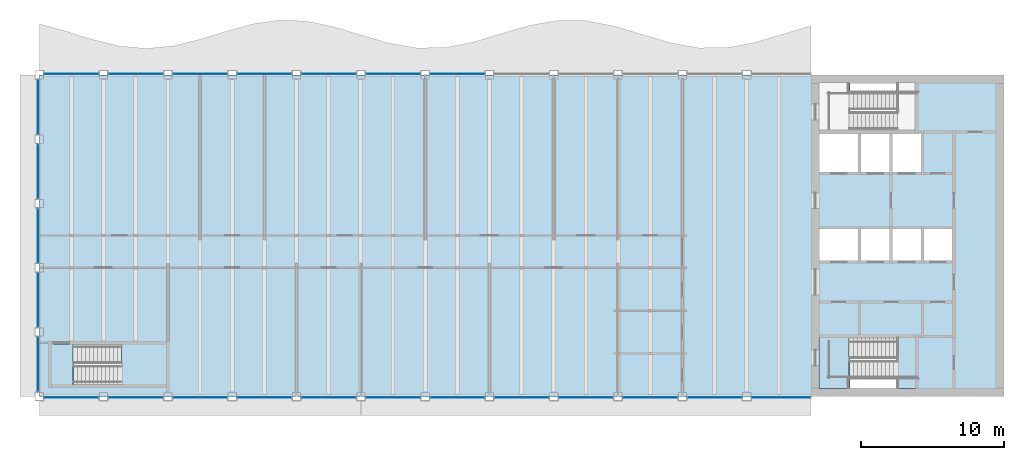
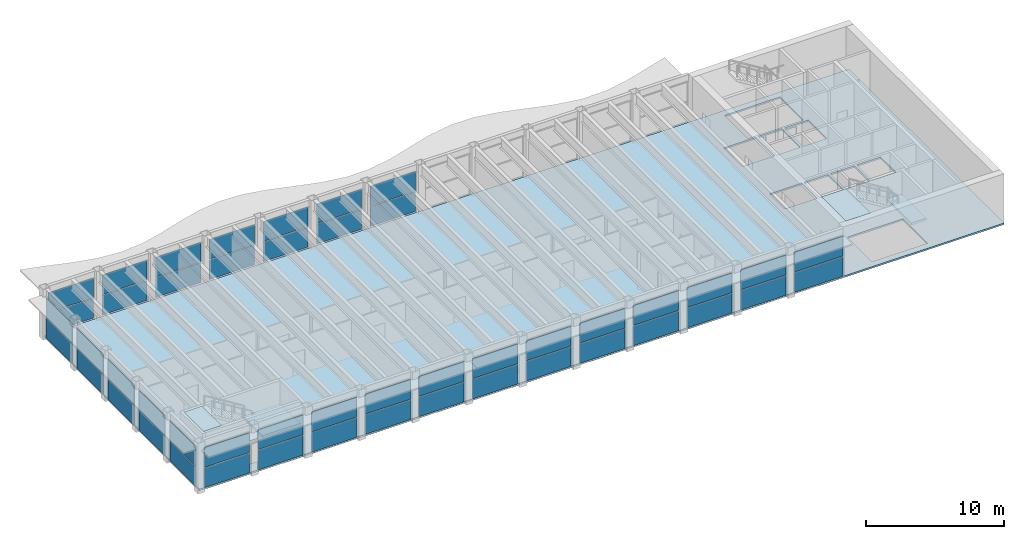
# One storey, part 7 of 14: 48 plates, 5 slabs, 26 elements without a shape of their own.
"""IFC4 building model written with IfcOpenShell, lengths in metres."""

from ifc_helpers import new_model, si_unit, direction, frame, origin, origin_2d, place, context, subcontext, project, spatial, polyline, rectangle, outline, extrude, material, layer, layer_set, type_object, element, aggregate, save


model = new_model("IFC4")

# Units and contexts
model_context = context("Model", 3, precision=1e-05, world=origin(), true_north=direction((0.0, 1.0)))
body_context = subcontext(model_context, "Body", "Model", "MODEL_VIEW")
ifc_project = project(units=[si_unit("LENGTHUNIT", "METRE"), si_unit("AREAUNIT", "SQUARE_METRE"), si_unit("VOLUMEUNIT", "CUBIC_METRE"), si_unit("PLANEANGLEUNIT", "RADIAN"), si_unit("MASSUNIT", "GRAM", prefix="KILO")], contexts=[model_context])

# Site, building, storey
site_placement = place(None, origin())
site = spatial("IfcSite", under=ifc_project, at=site_placement, CompositionType="ELEMENT")
building_placement = place(site_placement, origin())
building = spatial("IfcBuilding", under=site, at=building_placement, Name="Sennacour Bend Tower", CompositionType="ELEMENT")
storey_placement = place(building_placement, frame((0.0, 0.0, 314.0)))
storey = spatial("IfcBuildingStorey", under=building, at=storey_placement, Name="L72", CompositionType="ELEMENT", Elevation=314.0)

# Slab
ifc_material_1 = material(Name="Concrete C30/37", Category="concrete")
ifc_layer_1 = layer(ifc_material_1, 0.14990234375, Name="Concrete C30/37", Category="concrete")
ifc_layer_set_1 = layer_set([ifc_layer_1], Name="Concrete C30/37")
slab_type_1 = type_object("IfcSlabType", Name="Floor slab 150", PredefinedType="FLOOR", material=ifc_layer_set_1)
slab_1_placement = place(storey_placement, frame((0.0, 0.0, -0.14990234375)))
element("IfcSlab", 1, at=slab_1_placement, inside=storey, type_object=slab_type_1, Name="Floor slab L72-01", PredefinedType="FLOOR", context=body_context, shape_type="SweptSolid", body=[
    extrude(outline(polyline([(0.0, 22.5), (22.5, 22.5), (54.0, 22.5), (67.5, 22.5), (67.5, 0.0), (54.0, 0.0), (22.5, 0.0), (0.0, 0.0), (0.0, 22.5)]), holes=[polyline([(8.800048828125, 3.5), (2.429931640625, 3.5), (2.429931640625, 0.949951171875), (8.800048828125, 0.949951171875), (8.800048828125, 3.5)]), polyline([(61.39990234375, 4.125), (56.72998046875, 4.125), (56.72998046875, 0.550048828125), (61.39990234375, 0.550048828125), (61.39990234375, 4.125)]), polyline([(57.300048828125, 11.699951171875), (54.60009765625, 11.699951171875), (54.60009765625, 9.5), (57.300048828125, 9.5), (57.300048828125, 11.699951171875)]), polyline([(59.5, 9.5), (59.5, 11.699951171875), (57.5, 11.699951171875), (57.5, 9.5), (59.5, 9.5)]), polyline([(61.699951171875, 9.5), (61.699951171875, 11.699951171875), (59.699951171875, 11.699951171875), (59.699951171875, 9.5), (61.699951171875, 9.5)]), polyline([(63.89990234375, 11.699951171875), (61.89990234375, 11.699951171875), (61.89990234375, 9.5), (63.89990234375, 9.5), (63.89990234375, 11.699951171875)]), polyline([(57.300048828125, 18.39990234375), (54.60009765625, 18.39990234375), (54.60009765625, 15.699951171875), (57.300048828125, 15.699951171875), (57.300048828125, 18.39990234375)]), polyline([(59.5, 18.39990234375), (57.5, 18.39990234375), (57.5, 15.699951171875), (59.5, 15.699951171875), (59.5, 18.39990234375)]), polyline([(61.699951171875, 15.699951171875), (61.699951171875, 18.39990234375), (59.699951171875, 18.39990234375), (59.699951171875, 15.699951171875), (61.699951171875, 15.699951171875)]), polyline([(61.39990234375, 18.574951171875), (61.39990234375, 21.949951171875), (56.72998046875, 21.949951171875), (56.72998046875, 18.574951171875), (61.39990234375, 18.574951171875)])]), origin(), (0.0, 0.0, 1.0), 0.14990234375),
])

# Curtain wall, plates
ifc_material_2 = material(Name="Bronze anodised aluminium curtain wall with clear glass", Category="aluminium")
curtain_wall_type = type_object("IfcCurtainWallType", Name="CURTAIN WALL EXEC", PredefinedType="NOTDEFINED", material=ifc_material_2)
curtain_wall_1_placement = place(storey_placement, origin())
curtain_wall_1 = element("IfcCurtainWall", 2, at=curtain_wall_1_placement, inside=storey, type_object=curtain_wall_type, Name="Executive floor glass wall L72", PredefinedType="NOTDEFINED")
ifc_material_3 = material(Name="Clear low-emissivity glass", Category="glass")
ifc_layer_2 = layer(ifc_material_3, 0.031982421875, Name="Clear low-emissivity glass", Category="glass")
ifc_layer_set_2 = layer_set([ifc_layer_2], Name="Clear low-emissivity glass")
plate_type = type_object("IfcPlateType", Name="PNL-GLASS-IGU32", PredefinedType="CURTAIN_PANEL", material=ifc_layer_set_2)
plate_1_placement = place(storey_placement, frame((2.25, -0.074951171875, 0.06005859375), z_axis=(0.0, 0.0, 1.0), x_axis=(1.0, 0.0, 0.0)))
plate_1 = element("IfcPlate", 3, at=plate_1_placement, type_object=plate_type, Name="GW3 curtain wall panel 1.1", PredefinedType="CURTAIN_PANEL", context=body_context, shape_type="SweptSolid", body=[
    extrude(rectangle(XDim=3.780029296875, YDim=0.031982421875, at=origin_2d()), origin(), (0.0, 0.0, 1.0), 1.74609375),
])
plate_2_placement = place(storey_placement, frame((2.25, -0.074951171875, 1.865966796875), z_axis=(0.0, 0.0, 1.0), x_axis=(1.0, 0.0, 0.0)))
plate_2 = element("IfcPlate", 4, at=plate_2_placement, type_object=plate_type, Name="GW3 curtain wall panel 1.2", PredefinedType="CURTAIN_PANEL", context=body_context, shape_type="SweptSolid", body=[
    extrude(rectangle(XDim=3.780029296875, YDim=0.031982421875, at=origin_2d()), origin(), (0.0, 0.0, 1.0), 1.74609375),
])
aggregate(curtain_wall_1, [plate_1, plate_2])

curtain_wall_2_placement = place(storey_placement, origin())
curtain_wall_2 = element("IfcCurtainWall", 5, at=curtain_wall_2_placement, inside=storey, type_object=curtain_wall_type, Name="Executive floor glass wall L72", PredefinedType="NOTDEFINED")
plate_3_placement = place(storey_placement, frame((6.75, -0.074951171875, 0.06005859375), z_axis=(0.0, 0.0, 1.0), x_axis=(1.0, 0.0, 0.0)))
plate_3 = element("IfcPlate", 6, at=plate_3_placement, type_object=plate_type, Name="GW3 curtain wall panel 1.1", PredefinedType="CURTAIN_PANEL", context=body_context, shape_type="SweptSolid", body=[
    extrude(rectangle(XDim=3.780029296875, YDim=0.031982421875, at=origin_2d()), origin(), (0.0, 0.0, 1.0), 1.74609375),
])
plate_4_placement = place(storey_placement, frame((6.75, -0.074951171875, 1.865966796875), z_axis=(0.0, 0.0, 1.0), x_axis=(1.0, 0.0, 0.0)))
plate_4 = element("IfcPlate", 7, at=plate_4_placement, type_object=plate_type, Name="GW3 curtain wall panel 1.2", PredefinedType="CURTAIN_PANEL", context=body_context, shape_type="SweptSolid", body=[
    extrude(rectangle(XDim=3.780029296875, YDim=0.031982421875, at=origin_2d()), origin(), (0.0, 0.0, 1.0), 1.74609375),
])
aggregate(curtain_wall_2, [plate_3, plate_4])

curtain_wall_3_placement = place(storey_placement, origin())
curtain_wall_3 = element("IfcCurtainWall", 8, at=curtain_wall_3_placement, inside=storey, type_object=curtain_wall_type, Name="Executive floor glass wall L72", PredefinedType="NOTDEFINED")
plate_5_placement = place(storey_placement, frame((11.25, -0.074951171875, 0.06005859375), z_axis=(0.0, 0.0, 1.0), x_axis=(1.0, 0.0, 0.0)))
plate_5 = element("IfcPlate", 9, at=plate_5_placement, type_object=plate_type, Name="GW3 curtain wall panel 1.1", PredefinedType="CURTAIN_PANEL", context=body_context, shape_type="SweptSolid", body=[
    extrude(rectangle(XDim=3.780029296875, YDim=0.031982421875, at=origin_2d()), origin(), (0.0, 0.0, 1.0), 1.74609375),
])
plate_6_placement = place(storey_placement, frame((11.25, -0.074951171875, 1.865966796875), z_axis=(0.0, 0.0, 1.0), x_axis=(1.0, 0.0, 0.0)))
plate_6 = element("IfcPlate", 10, at=plate_6_placement, type_object=plate_type, Name="GW3 curtain wall panel 1.2", PredefinedType="CURTAIN_PANEL", context=body_context, shape_type="SweptSolid", body=[
    extrude(rectangle(XDim=3.780029296875, YDim=0.031982421875, at=origin_2d()), origin(), (0.0, 0.0, 1.0), 1.74609375),
])
aggregate(curtain_wall_3, [plate_5, plate_6])

curtain_wall_4_placement = place(storey_placement, origin())
curtain_wall_4 = element("IfcCurtainWall", 11, at=curtain_wall_4_placement, inside=storey, type_object=curtain_wall_type, Name="Executive floor glass wall L72", PredefinedType="NOTDEFINED")
plate_7_placement = place(storey_placement, frame((15.75, -0.074951171875, 0.06005859375), z_axis=(0.0, 0.0, 1.0), x_axis=(1.0, 0.0, 0.0)))
plate_7 = element("IfcPlate", 12, at=plate_7_placement, type_object=plate_type, Name="GW3 curtain wall panel 1.1", PredefinedType="CURTAIN_PANEL", context=body_context, shape_type="SweptSolid", body=[
    extrude(rectangle(XDim=3.780029296875, YDim=0.031982421875, at=origin_2d()), origin(), (0.0, 0.0, 1.0), 1.74609375),
])
plate_8_placement = place(storey_placement, frame((15.75, -0.074951171875, 1.865966796875), z_axis=(0.0, 0.0, 1.0), x_axis=(1.0, 0.0, 0.0)))
plate_8 = element("IfcPlate", 13, at=plate_8_placement, type_object=plate_type, Name="GW3 curtain wall panel 1.2", PredefinedType="CURTAIN_PANEL", context=body_context, shape_type="SweptSolid", body=[
    extrude(rectangle(XDim=3.780029296875, YDim=0.031982421875, at=origin_2d()), origin(), (0.0, 0.0, 1.0), 1.74609375),
])
aggregate(curtain_wall_4, [plate_7, plate_8])

curtain_wall_5_placement = place(storey_placement, origin())
curtain_wall_5 = element("IfcCurtainWall", 14, at=curtain_wall_5_placement, inside=storey, type_object=curtain_wall_type, Name="Executive floor glass wall L72", PredefinedType="NOTDEFINED")
plate_9_placement = place(storey_placement, frame((20.25, -0.074951171875, 0.06005859375), z_axis=(0.0, 0.0, 1.0), x_axis=(1.0, 0.0, 0.0)))
plate_9 = element("IfcPlate", 15, at=plate_9_placement, type_object=plate_type, Name="GW3 curtain wall panel 1.1", PredefinedType="CURTAIN_PANEL", context=body_context, shape_type="SweptSolid", body=[
    extrude(rectangle(XDim=3.780029296875, YDim=0.031982421875, at=origin_2d()), origin(), (0.0, 0.0, 1.0), 1.74609375),
])
plate_10_placement = place(storey_placement, frame((20.25, -0.074951171875, 1.865966796875), z_axis=(0.0, 0.0, 1.0), x_axis=(1.0, 0.0, 0.0)))
plate_10 = element("IfcPlate", 16, at=plate_10_placement, type_object=plate_type, Name="GW3 curtain wall panel 1.2", PredefinedType="CURTAIN_PANEL", context=body_context, shape_type="SweptSolid", body=[
    extrude(rectangle(XDim=3.780029296875, YDim=0.031982421875, at=origin_2d()), origin(), (0.0, 0.0, 1.0), 1.74609375),
])
aggregate(curtain_wall_5, [plate_9, plate_10])

curtain_wall_6_placement = place(storey_placement, origin())
curtain_wall_6 = element("IfcCurtainWall", 17, at=curtain_wall_6_placement, inside=storey, type_object=curtain_wall_type, Name="Executive floor glass wall L72", PredefinedType="NOTDEFINED")
plate_11_placement = place(storey_placement, frame((24.75, -0.074951171875, 0.06005859375), z_axis=(0.0, 0.0, 1.0), x_axis=(1.0, 0.0, 0.0)))
plate_11 = element("IfcPlate", 18, at=plate_11_placement, type_object=plate_type, Name="GW3 curtain wall panel 1.1", PredefinedType="CURTAIN_PANEL", context=body_context, shape_type="SweptSolid", body=[
    extrude(rectangle(XDim=3.780029296875, YDim=0.031982421875, at=origin_2d()), origin(), (0.0, 0.0, 1.0), 1.74609375),
])
plate_12_placement = place(storey_placement, frame((24.75, -0.074951171875, 1.865966796875), z_axis=(0.0, 0.0, 1.0), x_axis=(1.0, 0.0, 0.0)))
plate_12 = element("IfcPlate", 19, at=plate_12_placement, type_object=plate_type, Name="GW3 curtain wall panel 1.2", PredefinedType="CURTAIN_PANEL", context=body_context, shape_type="SweptSolid", body=[
    extrude(rectangle(XDim=3.780029296875, YDim=0.031982421875, at=origin_2d()), origin(), (0.0, 0.0, 1.0), 1.74609375),
])
aggregate(curtain_wall_6, [plate_11, plate_12])

curtain_wall_7_placement = place(storey_placement, origin())
curtain_wall_7 = element("IfcCurtainWall", 20, at=curtain_wall_7_placement, inside=storey, type_object=curtain_wall_type, Name="Executive floor glass wall L72", PredefinedType="NOTDEFINED")
plate_13_placement = place(storey_placement, frame((29.25, -0.074951171875, 0.06005859375), z_axis=(0.0, 0.0, 1.0), x_axis=(1.0, 0.0, 0.0)))
plate_13 = element("IfcPlate", 21, at=plate_13_placement, type_object=plate_type, Name="GW3 curtain wall panel 1.1", PredefinedType="CURTAIN_PANEL", context=body_context, shape_type="SweptSolid", body=[
    extrude(rectangle(XDim=3.780029296875, YDim=0.031982421875, at=origin_2d()), origin(), (0.0, 0.0, 1.0), 1.74609375),
])
plate_14_placement = place(storey_placement, frame((29.25, -0.074951171875, 1.865966796875), z_axis=(0.0, 0.0, 1.0), x_axis=(1.0, 0.0, 0.0)))
plate_14 = element("IfcPlate", 22, at=plate_14_placement, type_object=plate_type, Name="GW3 curtain wall panel 1.2", PredefinedType="CURTAIN_PANEL", context=body_context, shape_type="SweptSolid", body=[
    extrude(rectangle(XDim=3.780029296875, YDim=0.031982421875, at=origin_2d()), origin(), (0.0, 0.0, 1.0), 1.74609375),
])
aggregate(curtain_wall_7, [plate_13, plate_14])

curtain_wall_8_placement = place(storey_placement, origin())
curtain_wall_8 = element("IfcCurtainWall", 23, at=curtain_wall_8_placement, inside=storey, type_object=curtain_wall_type, Name="Executive floor glass wall L72", PredefinedType="NOTDEFINED")
plate_15_placement = place(storey_placement, frame((33.75, -0.074951171875, 0.06005859375), z_axis=(0.0, 0.0, 1.0), x_axis=(1.0, 0.0, 0.0)))
plate_15 = element("IfcPlate", 24, at=plate_15_placement, type_object=plate_type, Name="GW3 curtain wall panel 1.1", PredefinedType="CURTAIN_PANEL", context=body_context, shape_type="SweptSolid", body=[
    extrude(rectangle(XDim=3.780029296875, YDim=0.031982421875, at=origin_2d()), origin(), (0.0, 0.0, 1.0), 1.74609375),
])
plate_16_placement = place(storey_placement, frame((33.75, -0.074951171875, 1.865966796875), z_axis=(0.0, 0.0, 1.0), x_axis=(1.0, 0.0, 0.0)))
plate_16 = element("IfcPlate", 25, at=plate_16_placement, type_object=plate_type, Name="GW3 curtain wall panel 1.2", PredefinedType="CURTAIN_PANEL", context=body_context, shape_type="SweptSolid", body=[
    extrude(rectangle(XDim=3.780029296875, YDim=0.031982421875, at=origin_2d()), origin(), (0.0, 0.0, 1.0), 1.74609375),
])
aggregate(curtain_wall_8, [plate_15, plate_16])

curtain_wall_9_placement = place(storey_placement, origin())
curtain_wall_9 = element("IfcCurtainWall", 26, at=curtain_wall_9_placement, inside=storey, type_object=curtain_wall_type, Name="Executive floor glass wall L72", PredefinedType="NOTDEFINED")
plate_17_placement = place(storey_placement, frame((38.25, -0.074951171875, 0.06005859375), z_axis=(0.0, 0.0, 1.0), x_axis=(1.0, 0.0, 0.0)))
plate_17 = element("IfcPlate", 27, at=plate_17_placement, type_object=plate_type, Name="GW3 curtain wall panel 1.1", PredefinedType="CURTAIN_PANEL", context=body_context, shape_type="SweptSolid", body=[
    extrude(rectangle(XDim=3.780029296875, YDim=0.031982421875, at=origin_2d()), origin(), (0.0, 0.0, 1.0), 1.74609375),
])
plate_18_placement = place(storey_placement, frame((38.25, -0.074951171875, 1.865966796875), z_axis=(0.0, 0.0, 1.0), x_axis=(1.0, 0.0, 0.0)))
plate_18 = element("IfcPlate", 28, at=plate_18_placement, type_object=plate_type, Name="GW3 curtain wall panel 1.2", PredefinedType="CURTAIN_PANEL", context=body_context, shape_type="SweptSolid", body=[
    extrude(rectangle(XDim=3.780029296875, YDim=0.031982421875, at=origin_2d()), origin(), (0.0, 0.0, 1.0), 1.74609375),
])
aggregate(curtain_wall_9, [plate_17, plate_18])

curtain_wall_10_placement = place(storey_placement, origin())
curtain_wall_10 = element("IfcCurtainWall", 29, at=curtain_wall_10_placement, inside=storey, type_object=curtain_wall_type, Name="Executive floor glass wall L72", PredefinedType="NOTDEFINED")
plate_19_placement = place(storey_placement, frame((42.75, -0.074951171875, 0.06005859375), z_axis=(0.0, 0.0, 1.0), x_axis=(1.0, 0.0, 0.0)))
plate_19 = element("IfcPlate", 30, at=plate_19_placement, type_object=plate_type, Name="GW3 curtain wall panel 1.1", PredefinedType="CURTAIN_PANEL", context=body_context, shape_type="SweptSolid", body=[
    extrude(rectangle(XDim=3.780029296875, YDim=0.031982421875, at=origin_2d()), origin(), (0.0, 0.0, 1.0), 1.74609375),
])
plate_20_placement = place(storey_placement, frame((42.75, -0.074951171875, 1.865966796875), z_axis=(0.0, 0.0, 1.0), x_axis=(1.0, 0.0, 0.0)))
plate_20 = element("IfcPlate", 31, at=plate_20_placement, type_object=plate_type, Name="GW3 curtain wall panel 1.2", PredefinedType="CURTAIN_PANEL", context=body_context, shape_type="SweptSolid", body=[
    extrude(rectangle(XDim=3.780029296875, YDim=0.031982421875, at=origin_2d()), origin(), (0.0, 0.0, 1.0), 1.74609375),
])
aggregate(curtain_wall_10, [plate_19, plate_20])

curtain_wall_11_placement = place(storey_placement, origin())
curtain_wall_11 = element("IfcCurtainWall", 32, at=curtain_wall_11_placement, inside=storey, type_object=curtain_wall_type, Name="Executive floor glass wall L72", PredefinedType="NOTDEFINED")
plate_21_placement = place(storey_placement, frame((47.25, -0.074951171875, 0.06005859375), z_axis=(0.0, 0.0, 1.0), x_axis=(1.0, 0.0, 0.0)))
plate_21 = element("IfcPlate", 33, at=plate_21_placement, type_object=plate_type, Name="GW3 curtain wall panel 1.1", PredefinedType="CURTAIN_PANEL", context=body_context, shape_type="SweptSolid", body=[
    extrude(rectangle(XDim=3.780029296875, YDim=0.031982421875, at=origin_2d()), origin(), (0.0, 0.0, 1.0), 1.74609375),
])
plate_22_placement = place(storey_placement, frame((47.25, -0.074951171875, 1.865966796875), z_axis=(0.0, 0.0, 1.0), x_axis=(1.0, 0.0, 0.0)))
plate_22 = element("IfcPlate", 34, at=plate_22_placement, type_object=plate_type, Name="GW3 curtain wall panel 1.2", PredefinedType="CURTAIN_PANEL", context=body_context, shape_type="SweptSolid", body=[
    extrude(rectangle(XDim=3.780029296875, YDim=0.031982421875, at=origin_2d()), origin(), (0.0, 0.0, 1.0), 1.74609375),
])
aggregate(curtain_wall_11, [plate_21, plate_22])

curtain_wall_12_placement = place(storey_placement, origin())
curtain_wall_12 = element("IfcCurtainWall", 35, at=curtain_wall_12_placement, inside=storey, type_object=curtain_wall_type, Name="Executive floor glass wall L72", PredefinedType="NOTDEFINED")
plate_23_placement = place(storey_placement, frame((51.89990234375, -0.074951171875, 0.06005859375), z_axis=(0.0, 0.0, 1.0), x_axis=(1.0, 0.0, 0.0)))
plate_23 = element("IfcPlate", 36, at=plate_23_placement, type_object=plate_type, Name="GW3 curtain wall panel 1.1", PredefinedType="CURTAIN_PANEL", context=body_context, shape_type="SweptSolid", body=[
    extrude(rectangle(XDim=4.080078125, YDim=0.031982421875, at=origin_2d()), origin(), (0.0, 0.0, 1.0), 1.74609375),
])
plate_24_placement = place(storey_placement, frame((51.89990234375, -0.074951171875, 1.865966796875), z_axis=(0.0, 0.0, 1.0), x_axis=(1.0, 0.0, 0.0)))
plate_24 = element("IfcPlate", 37, at=plate_24_placement, type_object=plate_type, Name="GW3 curtain wall panel 1.2", PredefinedType="CURTAIN_PANEL", context=body_context, shape_type="SweptSolid", body=[
    extrude(rectangle(XDim=4.080078125, YDim=0.031982421875, at=origin_2d()), origin(), (0.0, 0.0, 1.0), 1.74609375),
])
aggregate(curtain_wall_12, [plate_23, plate_24])

curtain_wall_13_placement = place(storey_placement, origin())
curtain_wall_13 = element("IfcCurtainWall", 38, at=curtain_wall_13_placement, inside=storey, type_object=curtain_wall_type, Name="Executive floor glass wall L72", PredefinedType="NOTDEFINED")
plate_25_placement = place(storey_placement, frame((29.25, 22.574951171875, 0.06005859375), z_axis=(0.0, 0.0, 1.0), x_axis=(-1.0, 0.0, 0.0)))
plate_25 = element("IfcPlate", 39, at=plate_25_placement, type_object=plate_type, Name="GW3 curtain wall panel 1.1", PredefinedType="CURTAIN_PANEL", context=body_context, shape_type="SweptSolid", body=[
    extrude(rectangle(XDim=3.780029296875, YDim=0.031982421875, at=origin_2d()), origin(), (0.0, 0.0, 1.0), 1.74609375),
])
plate_26_placement = place(storey_placement, frame((29.25, 22.574951171875, 1.865966796875), z_axis=(0.0, 0.0, 1.0), x_axis=(-1.0, 0.0, 0.0)))
plate_26 = element("IfcPlate", 40, at=plate_26_placement, type_object=plate_type, Name="GW3 curtain wall panel 1.2", PredefinedType="CURTAIN_PANEL", context=body_context, shape_type="SweptSolid", body=[
    extrude(rectangle(XDim=3.780029296875, YDim=0.031982421875, at=origin_2d()), origin(), (0.0, 0.0, 1.0), 1.74609375),
])
aggregate(curtain_wall_13, [plate_25, plate_26])

curtain_wall_14_placement = place(storey_placement, origin())
curtain_wall_14 = element("IfcCurtainWall", 41, at=curtain_wall_14_placement, inside=storey, type_object=curtain_wall_type, Name="Executive floor glass wall L72", PredefinedType="NOTDEFINED")
plate_27_placement = place(storey_placement, frame((24.75, 22.574951171875, 0.06005859375), z_axis=(0.0, 0.0, 1.0), x_axis=(-1.0, 0.0, 0.0)))
plate_27 = element("IfcPlate", 42, at=plate_27_placement, type_object=plate_type, Name="GW3 curtain wall panel 1.1", PredefinedType="CURTAIN_PANEL", context=body_context, shape_type="SweptSolid", body=[
    extrude(rectangle(XDim=3.780029296875, YDim=0.031982421875, at=origin_2d()), origin(), (0.0, 0.0, 1.0), 1.74609375),
])
plate_28_placement = place(storey_placement, frame((24.75, 22.574951171875, 1.865966796875), z_axis=(0.0, 0.0, 1.0), x_axis=(-1.0, 0.0, 0.0)))
plate_28 = element("IfcPlate", 43, at=plate_28_placement, type_object=plate_type, Name="GW3 curtain wall panel 1.2", PredefinedType="CURTAIN_PANEL", context=body_context, shape_type="SweptSolid", body=[
    extrude(rectangle(XDim=3.780029296875, YDim=0.031982421875, at=origin_2d()), origin(), (0.0, 0.0, 1.0), 1.74609375),
])
aggregate(curtain_wall_14, [plate_27, plate_28])

curtain_wall_15_placement = place(storey_placement, origin())
curtain_wall_15 = element("IfcCurtainWall", 44, at=curtain_wall_15_placement, inside=storey, type_object=curtain_wall_type, Name="Executive floor glass wall L72", PredefinedType="NOTDEFINED")
plate_29_placement = place(storey_placement, frame((20.25, 22.574951171875, 0.06005859375), z_axis=(0.0, 0.0, 1.0), x_axis=(-1.0, 0.0, 0.0)))
plate_29 = element("IfcPlate", 45, at=plate_29_placement, type_object=plate_type, Name="GW3 curtain wall panel 1.1", PredefinedType="CURTAIN_PANEL", context=body_context, shape_type="SweptSolid", body=[
    extrude(rectangle(XDim=3.780029296875, YDim=0.031982421875, at=origin_2d()), origin(), (0.0, 0.0, 1.0), 1.74609375),
])
plate_30_placement = place(storey_placement, frame((20.25, 22.574951171875, 1.865966796875), z_axis=(0.0, 0.0, 1.0), x_axis=(-1.0, 0.0, 0.0)))
plate_30 = element("IfcPlate", 46, at=plate_30_placement, type_object=plate_type, Name="GW3 curtain wall panel 1.2", PredefinedType="CURTAIN_PANEL", context=body_context, shape_type="SweptSolid", body=[
    extrude(rectangle(XDim=3.780029296875, YDim=0.031982421875, at=origin_2d()), origin(), (0.0, 0.0, 1.0), 1.74609375),
])
aggregate(curtain_wall_15, [plate_29, plate_30])

curtain_wall_16_placement = place(storey_placement, origin())
curtain_wall_16 = element("IfcCurtainWall", 47, at=curtain_wall_16_placement, inside=storey, type_object=curtain_wall_type, Name="Executive floor glass wall L72", PredefinedType="NOTDEFINED")
plate_31_placement = place(storey_placement, frame((15.75, 22.574951171875, 0.06005859375), z_axis=(0.0, 0.0, 1.0), x_axis=(-1.0, 0.0, 0.0)))
plate_31 = element("IfcPlate", 48, at=plate_31_placement, type_object=plate_type, Name="GW3 curtain wall panel 1.1", PredefinedType="CURTAIN_PANEL", context=body_context, shape_type="SweptSolid", body=[
    extrude(rectangle(XDim=3.780029296875, YDim=0.031982421875, at=origin_2d()), origin(), (0.0, 0.0, 1.0), 1.74609375),
])
plate_32_placement = place(storey_placement, frame((15.75, 22.574951171875, 1.865966796875), z_axis=(0.0, 0.0, 1.0), x_axis=(-1.0, 0.0, 0.0)))
plate_32 = element("IfcPlate", 49, at=plate_32_placement, type_object=plate_type, Name="GW3 curtain wall panel 1.2", PredefinedType="CURTAIN_PANEL", context=body_context, shape_type="SweptSolid", body=[
    extrude(rectangle(XDim=3.780029296875, YDim=0.031982421875, at=origin_2d()), origin(), (0.0, 0.0, 1.0), 1.74609375),
])
aggregate(curtain_wall_16, [plate_31, plate_32])

curtain_wall_17_placement = place(storey_placement, origin())
curtain_wall_17 = element("IfcCurtainWall", 50, at=curtain_wall_17_placement, inside=storey, type_object=curtain_wall_type, Name="Executive floor glass wall L72", PredefinedType="NOTDEFINED")
plate_33_placement = place(storey_placement, frame((11.25, 22.574951171875, 0.06005859375), z_axis=(0.0, 0.0, 1.0), x_axis=(-1.0, 0.0, 0.0)))
plate_33 = element("IfcPlate", 51, at=plate_33_placement, type_object=plate_type, Name="GW3 curtain wall panel 1.1", PredefinedType="CURTAIN_PANEL", context=body_context, shape_type="SweptSolid", body=[
    extrude(rectangle(XDim=3.780029296875, YDim=0.031982421875, at=origin_2d()), origin(), (0.0, 0.0, 1.0), 1.74609375),
])
plate_34_placement = place(storey_placement, frame((11.25, 22.574951171875, 1.865966796875), z_axis=(0.0, 0.0, 1.0), x_axis=(-1.0, 0.0, 0.0)))
plate_34 = element("IfcPlate", 52, at=plate_34_placement, type_object=plate_type, Name="GW3 curtain wall panel 1.2", PredefinedType="CURTAIN_PANEL", context=body_context, shape_type="SweptSolid", body=[
    extrude(rectangle(XDim=3.780029296875, YDim=0.031982421875, at=origin_2d()), origin(), (0.0, 0.0, 1.0), 1.74609375),
])
aggregate(curtain_wall_17, [plate_33, plate_34])

curtain_wall_18_placement = place(storey_placement, origin())
curtain_wall_18 = element("IfcCurtainWall", 53, at=curtain_wall_18_placement, inside=storey, type_object=curtain_wall_type, Name="Executive floor glass wall L72", PredefinedType="NOTDEFINED")
plate_35_placement = place(storey_placement, frame((6.75, 22.574951171875, 0.06005859375), z_axis=(0.0, 0.0, 1.0), x_axis=(-1.0, 0.0, 0.0)))
plate_35 = element("IfcPlate", 54, at=plate_35_placement, type_object=plate_type, Name="GW3 curtain wall panel 1.1", PredefinedType="CURTAIN_PANEL", context=body_context, shape_type="SweptSolid", body=[
    extrude(rectangle(XDim=3.780029296875, YDim=0.031982421875, at=origin_2d()), origin(), (0.0, 0.0, 1.0), 1.74609375),
])
plate_36_placement = place(storey_placement, frame((6.75, 22.574951171875, 1.865966796875), z_axis=(0.0, 0.0, 1.0), x_axis=(-1.0, 0.0, 0.0)))
plate_36 = element("IfcPlate", 55, at=plate_36_placement, type_object=plate_type, Name="GW3 curtain wall panel 1.2", PredefinedType="CURTAIN_PANEL", context=body_context, shape_type="SweptSolid", body=[
    extrude(rectangle(XDim=3.780029296875, YDim=0.031982421875, at=origin_2d()), origin(), (0.0, 0.0, 1.0), 1.74609375),
])
aggregate(curtain_wall_18, [plate_35, plate_36])

curtain_wall_19_placement = place(storey_placement, origin())
curtain_wall_19 = element("IfcCurtainWall", 56, at=curtain_wall_19_placement, inside=storey, type_object=curtain_wall_type, Name="Executive floor glass wall L72", PredefinedType="NOTDEFINED")
plate_37_placement = place(storey_placement, frame((2.25, 22.574951171875, 0.06005859375), z_axis=(0.0, 0.0, 1.0), x_axis=(-1.0, 0.0, 0.0)))
plate_37 = element("IfcPlate", 57, at=plate_37_placement, type_object=plate_type, Name="GW3 curtain wall panel 1.1", PredefinedType="CURTAIN_PANEL", context=body_context, shape_type="SweptSolid", body=[
    extrude(rectangle(XDim=3.780029296875, YDim=0.031982421875, at=origin_2d()), origin(), (0.0, 0.0, 1.0), 1.74609375),
])
plate_38_placement = place(storey_placement, frame((2.25, 22.574951171875, 1.865966796875), z_axis=(0.0, 0.0, 1.0), x_axis=(-1.0, 0.0, 0.0)))
plate_38 = element("IfcPlate", 58, at=plate_38_placement, type_object=plate_type, Name="GW3 curtain wall panel 1.2", PredefinedType="CURTAIN_PANEL", context=body_context, shape_type="SweptSolid", body=[
    extrude(rectangle(XDim=3.780029296875, YDim=0.031982421875, at=origin_2d()), origin(), (0.0, 0.0, 1.0), 1.74609375),
])
aggregate(curtain_wall_19, [plate_37, plate_38])

curtain_wall_20_placement = place(storey_placement, origin())
curtain_wall_20 = element("IfcCurtainWall", 59, at=curtain_wall_20_placement, inside=storey, type_object=curtain_wall_type, Name="Executive floor glass wall L72", PredefinedType="NOTDEFINED")
plate_39_placement = place(storey_placement, frame((-0.074951171875, 20.25, 0.06005859375), z_axis=(0.0, 0.0, 1.0), x_axis=(0.0, -1.0, 0.0)))
plate_39 = element("IfcPlate", 60, at=plate_39_placement, type_object=plate_type, Name="GW3 curtain wall panel 1.1", PredefinedType="CURTAIN_PANEL", context=body_context, shape_type="SweptSolid", body=[
    extrude(rectangle(XDim=3.780029296875, YDim=0.031982421875, at=origin_2d()), origin(), (0.0, 0.0, 1.0), 1.74609375),
])
plate_40_placement = place(storey_placement, frame((-0.074951171875, 20.25, 1.865966796875), z_axis=(0.0, 0.0, 1.0), x_axis=(0.0, -1.0, 0.0)))
plate_40 = element("IfcPlate", 61, at=plate_40_placement, type_object=plate_type, Name="GW3 curtain wall panel 1.2", PredefinedType="CURTAIN_PANEL", context=body_context, shape_type="SweptSolid", body=[
    extrude(rectangle(XDim=3.780029296875, YDim=0.031982421875, at=origin_2d()), origin(), (0.0, 0.0, 1.0), 1.74609375),
])
aggregate(curtain_wall_20, [plate_39, plate_40])

curtain_wall_21_placement = place(storey_placement, origin())
curtain_wall_21 = element("IfcCurtainWall", 62, at=curtain_wall_21_placement, inside=storey, type_object=curtain_wall_type, Name="Executive floor glass wall L72", PredefinedType="NOTDEFINED")
plate_41_placement = place(storey_placement, frame((-0.074951171875, 15.75, 0.06005859375), z_axis=(0.0, 0.0, 1.0), x_axis=(0.0, -1.0, 0.0)))
plate_41 = element("IfcPlate", 63, at=plate_41_placement, type_object=plate_type, Name="GW3 curtain wall panel 1.1", PredefinedType="CURTAIN_PANEL", context=body_context, shape_type="SweptSolid", body=[
    extrude(rectangle(XDim=3.780029296875, YDim=0.031982421875, at=origin_2d()), origin(), (0.0, 0.0, 1.0), 1.74609375),
])
plate_42_placement = place(storey_placement, frame((-0.074951171875, 15.75, 1.865966796875), z_axis=(0.0, 0.0, 1.0), x_axis=(0.0, -1.0, 0.0)))
plate_42 = element("IfcPlate", 64, at=plate_42_placement, type_object=plate_type, Name="GW3 curtain wall panel 1.2", PredefinedType="CURTAIN_PANEL", context=body_context, shape_type="SweptSolid", body=[
    extrude(rectangle(XDim=3.780029296875, YDim=0.031982421875, at=origin_2d()), origin(), (0.0, 0.0, 1.0), 1.74609375),
])
aggregate(curtain_wall_21, [plate_41, plate_42])

curtain_wall_22_placement = place(storey_placement, origin())
curtain_wall_22 = element("IfcCurtainWall", 65, at=curtain_wall_22_placement, inside=storey, type_object=curtain_wall_type, Name="Executive floor glass wall L72", PredefinedType="NOTDEFINED")
plate_43_placement = place(storey_placement, frame((-0.074951171875, 11.25, 0.06005859375), z_axis=(0.0, 0.0, 1.0), x_axis=(0.0, -1.0, 0.0)))
plate_43 = element("IfcPlate", 66, at=plate_43_placement, type_object=plate_type, Name="GW3 curtain wall panel 1.1", PredefinedType="CURTAIN_PANEL", context=body_context, shape_type="SweptSolid", body=[
    extrude(rectangle(XDim=3.780029296875, YDim=0.031982421875, at=origin_2d()), origin(), (0.0, 0.0, 1.0), 1.74609375),
])
plate_44_placement = place(storey_placement, frame((-0.074951171875, 11.25, 1.865966796875), z_axis=(0.0, 0.0, 1.0), x_axis=(0.0, -1.0, 0.0)))
plate_44 = element("IfcPlate", 67, at=plate_44_placement, type_object=plate_type, Name="GW3 curtain wall panel 1.2", PredefinedType="CURTAIN_PANEL", context=body_context, shape_type="SweptSolid", body=[
    extrude(rectangle(XDim=3.780029296875, YDim=0.031982421875, at=origin_2d()), origin(), (0.0, 0.0, 1.0), 1.74609375),
])
aggregate(curtain_wall_22, [plate_43, plate_44])

curtain_wall_23_placement = place(storey_placement, origin())
curtain_wall_23 = element("IfcCurtainWall", 68, at=curtain_wall_23_placement, inside=storey, type_object=curtain_wall_type, Name="Executive floor glass wall L72", PredefinedType="NOTDEFINED")
plate_45_placement = place(storey_placement, frame((-0.074951171875, 6.75, 0.06005859375), z_axis=(0.0, 0.0, 1.0), x_axis=(0.0, -1.0, 0.0)))
plate_45 = element("IfcPlate", 69, at=plate_45_placement, type_object=plate_type, Name="GW3 curtain wall panel 1.1", PredefinedType="CURTAIN_PANEL", context=body_context, shape_type="SweptSolid", body=[
    extrude(rectangle(XDim=3.780029296875, YDim=0.031982421875, at=origin_2d()), origin(), (0.0, 0.0, 1.0), 1.74609375),
])
plate_46_placement = place(storey_placement, frame((-0.074951171875, 6.75, 1.865966796875), z_axis=(0.0, 0.0, 1.0), x_axis=(0.0, -1.0, 0.0)))
plate_46 = element("IfcPlate", 70, at=plate_46_placement, type_object=plate_type, Name="GW3 curtain wall panel 1.2", PredefinedType="CURTAIN_PANEL", context=body_context, shape_type="SweptSolid", body=[
    extrude(rectangle(XDim=3.780029296875, YDim=0.031982421875, at=origin_2d()), origin(), (0.0, 0.0, 1.0), 1.74609375),
])
aggregate(curtain_wall_23, [plate_45, plate_46])

curtain_wall_24_placement = place(storey_placement, origin())
curtain_wall_24 = element("IfcCurtainWall", 71, at=curtain_wall_24_placement, inside=storey, type_object=curtain_wall_type, Name="Executive floor glass wall L72", PredefinedType="NOTDEFINED")
plate_47_placement = place(storey_placement, frame((-0.074951171875, 2.25, 0.06005859375), z_axis=(0.0, 0.0, 1.0), x_axis=(0.0, -1.0, 0.0)))
plate_47 = element("IfcPlate", 72, at=plate_47_placement, type_object=plate_type, Name="GW3 curtain wall panel 1.1", PredefinedType="CURTAIN_PANEL", context=body_context, shape_type="SweptSolid", body=[
    extrude(rectangle(XDim=3.780029296875, YDim=0.031982421875, at=origin_2d()), origin(), (0.0, 0.0, 1.0), 1.74609375),
])
plate_48_placement = place(storey_placement, frame((-0.074951171875, 2.25, 1.865966796875), z_axis=(0.0, 0.0, 1.0), x_axis=(0.0, -1.0, 0.0)))
plate_48 = element("IfcPlate", 73, at=plate_48_placement, type_object=plate_type, Name="GW3 curtain wall panel 1.2", PredefinedType="CURTAIN_PANEL", context=body_context, shape_type="SweptSolid", body=[
    extrude(rectangle(XDim=3.780029296875, YDim=0.031982421875, at=origin_2d()), origin(), (0.0, 0.0, 1.0), 1.74609375),
])
aggregate(curtain_wall_24, [plate_47, plate_48])

# Slabs
ifc_material_4 = material(Name="Concrete C40/50", Category="concrete")
ifc_layer_3 = layer(ifc_material_4, 0.034912109375, Name="Concrete C40/50", Category="concrete")
ifc_layer_set_3 = layer_set([ifc_layer_3], Name="Concrete C40/50")
slab_type_2 = type_object("IfcSlabType", Name="Stair arrival nib 35", PredefinedType="FLOOR", material=ifc_layer_set_3)
slab_2_placement = place(storey_placement, frame((0.0, 0.0, 4.315185546875)))
element("IfcSlab", 74, at=slab_2_placement, inside=storey, type_object=slab_type_2, Name="L72 SA1 stair arrival nib", PredefinedType="FLOOR", context=body_context, shape_type="SweptSolid", body=[
    extrude(outline(polyline([(56.64208984375, 4.125), (54.550048828125, 4.125), (54.550048828125, 0.550048828125), (56.64208984375, 0.550048828125), (56.64208984375, 4.125)])), origin(), (0.0, 0.0, 1.0), 0.034912109375),
])
slab_3_placement = place(storey_placement, frame((0.0, 0.0, 4.315185546875)))
element("IfcSlab", 75, at=slab_3_placement, inside=storey, type_object=slab_type_2, Name="L72 SK1 stair arrival nib", PredefinedType="FLOOR", context=body_context, shape_type="SweptSolid", body=[
    extrude(outline(polyline([(2.342041015625, 3.675048828125), (0.800048828125, 3.675048828125), (0.800048828125, 0.800048828125), (2.342041015625, 0.800048828125), (2.342041015625, 3.675048828125)])), origin(), (0.0, 0.0, 1.0), 0.034912109375),
])

# Stair, slab
stair_type = type_object("IfcStairType", Name="ST-DOGLEG", PredefinedType="HALF_TURN_STAIR", material=ifc_material_4)
stair_1_placement = place(storey_placement, origin())
stair_1 = element("IfcStair", 76, at=stair_1_placement, inside=storey, type_object=stair_type, Name="L72 Exit stair A1", PredefinedType="HALF_TURN_STAIR")
ifc_layer_4 = layer(ifc_material_4, 0.199951171875, Name="Concrete C40/50", Category="concrete")
ifc_layer_set_4 = layer_set([ifc_layer_4], Name="Concrete C40/50")
slab_type_3 = type_object("IfcSlabType", Name="Stair landing 200", PredefinedType="LANDING", material=ifc_layer_set_4)
slab_4_placement = place(storey_placement, frame((0.0, 0.0, 2.050048828125)))
slab_4 = element("IfcSlab", 77, at=slab_4_placement, type_object=slab_type_3, Name="SA1 landing 1", PredefinedType="LANDING", context=body_context, shape_type="SweptSolid", body=[
    extrude(outline(polyline([(60.06005859375, 0.550048828125), (61.324951171875, 0.550048828125), (61.324951171875, 4.125), (60.06005859375, 4.125), (60.06005859375, 0.550048828125)])), origin(), (0.0, 0.0, 1.0), 0.199951171875),
])
aggregate(stair_1, [slab_4])

stair_2_placement = place(storey_placement, origin())
stair_2 = element("IfcStair", 78, at=stair_2_placement, inside=storey, type_object=stair_type, Name="L72 Exit stair K1", PredefinedType="HALF_TURN_STAIR")
slab_5_placement = place(storey_placement, frame((0.0, 0.0, 2.050048828125)))
slab_5 = element("IfcSlab", 79, at=slab_5_placement, type_object=slab_type_3, Name="SK1 landing 1", PredefinedType="LANDING", context=body_context, shape_type="SweptSolid", body=[
    extrude(outline(polyline([(5.760009765625, 0.800048828125), (8.925048828125, 0.800048828125), (8.925048828125, 3.675048828125), (5.760009765625, 3.675048828125), (5.760009765625, 0.800048828125)])), origin(), (0.0, 0.0, 1.0), 0.199951171875),
])
aggregate(stair_2, [slab_5])

save(model, "model.ifc")
